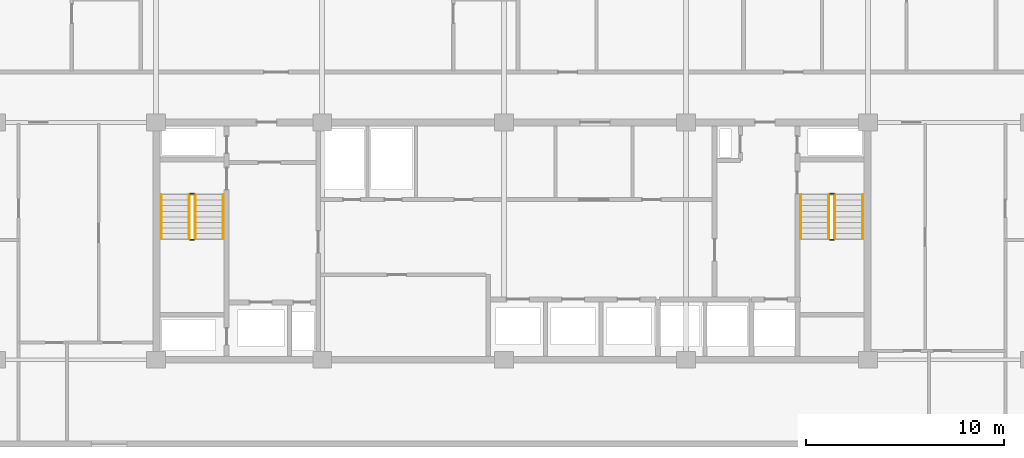
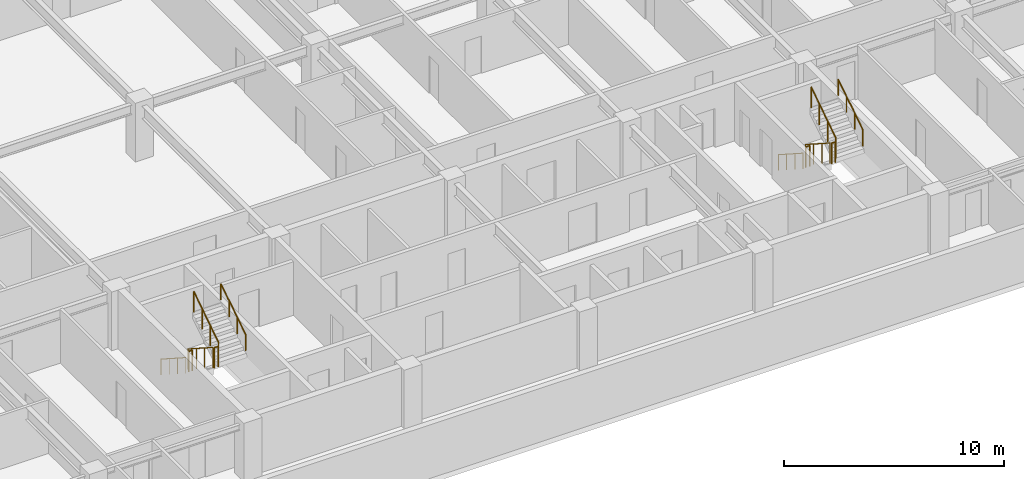
# One storey, part 20 of 21: 12 railings.
"""IFC4 building model written with IfcOpenShell, lengths in metres."""

from ifc_helpers import new_model, si_unit, direction, frame, origin, origin_2d, place, context, subcontext, project, spatial, circle, extrude, material, type_object, element, save


model = new_model("IFC4")

# Units and contexts
model_context = context("Model", 3, precision=1e-05, world=origin(), true_north=direction((0.0, 1.0)))
body_context = subcontext(model_context, "Body", "Model", "MODEL_VIEW")
ifc_project = project(units=[si_unit("LENGTHUNIT", "METRE"), si_unit("AREAUNIT", "SQUARE_METRE"), si_unit("VOLUMEUNIT", "CUBIC_METRE"), si_unit("PLANEANGLEUNIT", "RADIAN"), si_unit("MASSUNIT", "GRAM", prefix="KILO")], contexts=[model_context])

# Site, building, storey
site_placement = place(None, origin())
site = spatial("IfcSite", under=ifc_project, at=site_placement, CompositionType="ELEMENT")
building_placement = place(site_placement, origin())
building = spatial("IfcBuilding", under=site, at=building_placement, Name="Korimba Cascade Residences", CompositionType="ELEMENT")
storey_placement = place(building_placement, frame((0.0, 0.0, 106.800048828125)))
storey = spatial("IfcBuildingStorey", under=building, at=storey_placement, Name="L30", CompositionType="ELEMENT", Elevation=106.800048828125)

# Railings
ifc_material_1 = material(Name="Painted Steel Stairwell Guardrail", Category="steel")
railing_type_1 = type_object("IfcRailingType", Name="RLG-ST-GD1150", PredefinedType="GUARDRAIL", material=ifc_material_1)
railing_1_placement = place(storey_placement, frame((77.77001953125, 63.550048828125, 0.180419921875)))
element("IfcRailing", 1, at=railing_1_placement, inside=storey, type_object=railing_type_1, Name="L30 ST-W1 stair guard 1", PredefinedType="GUARDRAIL", context=body_context, shape_type="SweptSolid", body=[
    extrude(circle(Radius=0.02392578125, at=origin_2d()), frame((0.0, 0.0, 1.1259765625), z_axis=(0.0, -0.840394893359, 0.541974559565), x_axis=(1.0, 0.0, 0.0)), (0.0, 0.0, 1.0), 2.665283203125),
    extrude(circle(Radius=0.02099609375, at=origin_2d()), origin(), (0.0, 0.0, 1.0), 1.101806640625),
    extrude(circle(Radius=0.02099609375, at=origin_2d()), frame((0.0, -0.74658203125, 0.4814453125)), (0.0, 0.0, 1.0), 1.101806640625),
    extrude(circle(Radius=0.02099609375, at=origin_2d()), frame((0.0, -1.493408203125, 0.963134765625)), (0.0, 0.0, 1.0), 1.101806640625),
    extrude(circle(Radius=0.02099609375, at=origin_2d()), frame((0.0, -2.239990234375, 1.444580078125)), (0.0, 0.0, 1.0), 1.101806640625),
])
railing_2_placement = place(storey_placement, frame((77.820068359375, 61.260009765625, 1.625)))
element("IfcRailing", 2, at=railing_2_placement, inside=storey, type_object=railing_type_1, Name="L30 ST-W1 stair guard 2", PredefinedType="GUARDRAIL", context=body_context, shape_type="SweptSolid", body=[
    extrude(circle(Radius=0.02392578125, at=origin_2d()), frame((0.0, 0.0, 1.1259765625), z_axis=(1.0, 0.0, 0.0), x_axis=(0.0, 1.0, 0.0)), (0.0, 0.0, 1.0), 0.199951171875),
    extrude(circle(Radius=0.02099609375, at=origin_2d()), origin(), (0.0, 0.0, 1.0), 1.101806640625),
    extrude(circle(Radius=0.02099609375, at=origin_2d()), frame((0.199951171875, 0.0, 0.0)), (0.0, 0.0, 1.0), 1.101806640625),
])
railing_3_placement = place(storey_placement, frame((78.070068359375, 61.31005859375, 1.805419921875)))
element("IfcRailing", 3, at=railing_3_placement, inside=storey, type_object=railing_type_1, Name="L30 ST-W1 stair guard 3", PredefinedType="GUARDRAIL", context=body_context, shape_type="SweptSolid", body=[
    extrude(circle(Radius=0.02392578125, at=origin_2d()), frame((0.0, 0.0, 1.1259765625), z_axis=(0.0, 0.840394893359, 0.541974559565), x_axis=(-1.0, 0.0, 0.0)), (0.0, 0.0, 1.0), 2.665283203125),
    extrude(circle(Radius=0.02099609375, at=origin_2d()), origin(), (0.0, 0.0, 1.0), 1.101806640625),
    extrude(circle(Radius=0.02099609375, at=origin_2d()), frame((0.0, 0.74658203125, 0.4814453125)), (0.0, 0.0, 1.0), 1.101806640625),
    extrude(circle(Radius=0.02099609375, at=origin_2d()), frame((0.0, 1.493408203125, 0.963134765625)), (0.0, 0.0, 1.0), 1.101806640625),
    extrude(circle(Radius=0.02099609375, at=origin_2d()), frame((0.0, 2.239990234375, 1.444580078125)), (0.0, 0.0, 1.0), 1.101806640625),
])
railing_4_placement = place(storey_placement, frame((77.820068359375, 63.60009765625, 0.0)))
element("IfcRailing", 4, at=railing_4_placement, inside=storey, type_object=railing_type_1, Name="L30 ST-W1 stair guard 4", PredefinedType="GUARDRAIL", context=body_context, shape_type="SweptSolid", body=[
    extrude(circle(Radius=0.02392578125, at=origin_2d()), frame((0.0, 0.0, 1.1259765625), z_axis=(1.0, 0.0, 0.0), x_axis=(0.0, 1.0, 0.0)), (0.0, 0.0, 1.0), 0.199951171875),
    extrude(circle(Radius=0.02099609375, at=origin_2d()), origin(), (0.0, 0.0, 1.0), 1.101806640625),
    extrude(circle(Radius=0.02099609375, at=origin_2d()), frame((0.199951171875, 0.0, 0.0)), (0.0, 0.0, 1.0), 1.101806640625),
])
railing_5_placement = place(storey_placement, frame((110.1298828125, 63.550048828125, 0.180419921875)))
element("IfcRailing", 5, at=railing_5_placement, inside=storey, type_object=railing_type_1, Name="L30 ST-W2 stair guard 1", PredefinedType="GUARDRAIL", context=body_context, shape_type="SweptSolid", body=[
    extrude(circle(Radius=0.02392578125, at=origin_2d()), frame((0.0, 0.0, 1.1259765625), z_axis=(0.0, -0.840394893359, 0.541974559565), x_axis=(1.0, 0.0, 0.0)), (0.0, 0.0, 1.0), 2.665283203125),
    extrude(circle(Radius=0.02099609375, at=origin_2d()), origin(), (0.0, 0.0, 1.0), 1.101806640625),
    extrude(circle(Radius=0.02099609375, at=origin_2d()), frame((0.0, -0.74658203125, 0.4814453125)), (0.0, 0.0, 1.0), 1.101806640625),
    extrude(circle(Radius=0.02099609375, at=origin_2d()), frame((0.0, -1.493408203125, 0.963134765625)), (0.0, 0.0, 1.0), 1.101806640625),
    extrude(circle(Radius=0.02099609375, at=origin_2d()), frame((0.0, -2.239990234375, 1.444580078125)), (0.0, 0.0, 1.0), 1.101806640625),
])
railing_6_placement = place(storey_placement, frame((110.179931640625, 61.260009765625, 1.625)))
element("IfcRailing", 6, at=railing_6_placement, inside=storey, type_object=railing_type_1, Name="L30 ST-W2 stair guard 2", PredefinedType="GUARDRAIL", context=body_context, shape_type="SweptSolid", body=[
    extrude(circle(Radius=0.02392578125, at=origin_2d()), frame((0.0, 0.0, 1.1259765625), z_axis=(1.0, 0.0, 0.0), x_axis=(0.0, 1.0, 0.0)), (0.0, 0.0, 1.0), 0.199951171875),
    extrude(circle(Radius=0.02099609375, at=origin_2d()), origin(), (0.0, 0.0, 1.0), 1.101806640625),
    extrude(circle(Radius=0.02099609375, at=origin_2d()), frame((0.199951171875, 0.0, 0.0)), (0.0, 0.0, 1.0), 1.101806640625),
])
railing_7_placement = place(storey_placement, frame((110.429931640625, 61.31005859375, 1.805419921875)))
element("IfcRailing", 7, at=railing_7_placement, inside=storey, type_object=railing_type_1, Name="L30 ST-W2 stair guard 3", PredefinedType="GUARDRAIL", context=body_context, shape_type="SweptSolid", body=[
    extrude(circle(Radius=0.02392578125, at=origin_2d()), frame((0.0, 0.0, 1.1259765625), z_axis=(0.0, 0.840394893359, 0.541974559565), x_axis=(-1.0, 0.0, 0.0)), (0.0, 0.0, 1.0), 2.665283203125),
    extrude(circle(Radius=0.02099609375, at=origin_2d()), origin(), (0.0, 0.0, 1.0), 1.101806640625),
    extrude(circle(Radius=0.02099609375, at=origin_2d()), frame((0.0, 0.74658203125, 0.4814453125)), (0.0, 0.0, 1.0), 1.101806640625),
    extrude(circle(Radius=0.02099609375, at=origin_2d()), frame((0.0, 1.493408203125, 0.963134765625)), (0.0, 0.0, 1.0), 1.101806640625),
    extrude(circle(Radius=0.02099609375, at=origin_2d()), frame((0.0, 2.239990234375, 1.444580078125)), (0.0, 0.0, 1.0), 1.101806640625),
])
railing_8_placement = place(storey_placement, frame((110.179931640625, 63.60009765625, 0.0)))
element("IfcRailing", 8, at=railing_8_placement, inside=storey, type_object=railing_type_1, Name="L30 ST-W2 stair guard 4", PredefinedType="GUARDRAIL", context=body_context, shape_type="SweptSolid", body=[
    extrude(circle(Radius=0.02392578125, at=origin_2d()), frame((0.0, 0.0, 1.1259765625), z_axis=(1.0, 0.0, 0.0), x_axis=(0.0, 1.0, 0.0)), (0.0, 0.0, 1.0), 0.199951171875),
    extrude(circle(Radius=0.02099609375, at=origin_2d()), origin(), (0.0, 0.0, 1.0), 1.101806640625),
    extrude(circle(Radius=0.02099609375, at=origin_2d()), frame((0.199951171875, 0.0, 0.0)), (0.0, 0.0, 1.0), 1.101806640625),
])
ifc_material_2 = material(Name="Brushed Stainless Steel Handrail", Category="steel")
railing_type_2 = type_object("IfcRailingType", Name="RLG-ST-HR900", PredefinedType="HANDRAIL", material=ifc_material_2)
railing_9_placement = place(storey_placement, frame((76.35009765625, 63.550048828125, 0.364990234375)))
element("IfcRailing", 9, at=railing_9_placement, inside=storey, type_object=railing_type_2, Name="L30 ST-W1 stair handrail 1", PredefinedType="HANDRAIL", context=body_context, shape_type="SweptSolid", body=[
    extrude(circle(Radius=0.02392578125, at=origin_2d()), frame((0.0, 0.0, 0.8759765625), z_axis=(0.0, -0.840436612492, 0.541909863706), x_axis=(1.0, 0.0, 0.0)), (0.0, 0.0, 1.0), 2.665283203125),
    extrude(circle(Radius=0.02099609375, at=origin_2d()), origin(), (0.0, 0.0, 1.0), 0.851806640625),
    extrude(circle(Radius=0.02099609375, at=origin_2d()), frame((0.0, -0.74658203125, 0.4814453125)), (0.0, 0.0, 1.0), 0.851806640625),
    extrude(circle(Radius=0.02099609375, at=origin_2d()), frame((0.0, -1.493408203125, 0.962890625)), (0.0, 0.0, 1.0), 0.851806640625),
    extrude(circle(Radius=0.02099609375, at=origin_2d()), frame((0.0, -2.239990234375, 1.4443359375)), (0.0, 0.0, 1.0), 0.851806640625),
])
railing_10_placement = place(storey_placement, frame((79.489990234375, 61.31005859375, 1.989990234375)))
element("IfcRailing", 10, at=railing_10_placement, inside=storey, type_object=railing_type_2, Name="L30 ST-W1 stair handrail 2", PredefinedType="HANDRAIL", context=body_context, shape_type="SweptSolid", body=[
    extrude(circle(Radius=0.02392578125, at=origin_2d()), frame((0.0, 0.0, 0.8759765625), z_axis=(0.0, 0.840436612492, 0.541909863706), x_axis=(-1.0, 0.0, 0.0)), (0.0, 0.0, 1.0), 2.665283203125),
    extrude(circle(Radius=0.02099609375, at=origin_2d()), origin(), (0.0, 0.0, 1.0), 0.851806640625),
    extrude(circle(Radius=0.02099609375, at=origin_2d()), frame((0.0, 0.74658203125, 0.4814453125)), (0.0, 0.0, 1.0), 0.851806640625),
    extrude(circle(Radius=0.02099609375, at=origin_2d()), frame((0.0, 1.493408203125, 0.962890625)), (0.0, 0.0, 1.0), 0.851806640625),
    extrude(circle(Radius=0.02099609375, at=origin_2d()), frame((0.0, 2.239990234375, 1.4443359375)), (0.0, 0.0, 1.0), 0.851806640625),
])
railing_11_placement = place(storey_placement, frame((108.7099609375, 63.550048828125, 0.364990234375)))
element("IfcRailing", 11, at=railing_11_placement, inside=storey, type_object=railing_type_2, Name="L30 ST-W2 stair handrail 1", PredefinedType="HANDRAIL", context=body_context, shape_type="SweptSolid", body=[
    extrude(circle(Radius=0.02392578125, at=origin_2d()), frame((0.0, 0.0, 0.8759765625), z_axis=(0.0, -0.840436612492, 0.541909863706), x_axis=(1.0, 0.0, 0.0)), (0.0, 0.0, 1.0), 2.665283203125),
    extrude(circle(Radius=0.02099609375, at=origin_2d()), origin(), (0.0, 0.0, 1.0), 0.851806640625),
    extrude(circle(Radius=0.02099609375, at=origin_2d()), frame((0.0, -0.74658203125, 0.4814453125)), (0.0, 0.0, 1.0), 0.851806640625),
    extrude(circle(Radius=0.02099609375, at=origin_2d()), frame((0.0, -1.493408203125, 0.962890625)), (0.0, 0.0, 1.0), 0.851806640625),
    extrude(circle(Radius=0.02099609375, at=origin_2d()), frame((0.0, -2.239990234375, 1.4443359375)), (0.0, 0.0, 1.0), 0.851806640625),
])
railing_12_placement = place(storey_placement, frame((111.85009765625, 61.31005859375, 1.989990234375)))
element("IfcRailing", 12, at=railing_12_placement, inside=storey, type_object=railing_type_2, Name="L30 ST-W2 stair handrail 2", PredefinedType="HANDRAIL", context=body_context, shape_type="SweptSolid", body=[
    extrude(circle(Radius=0.02392578125, at=origin_2d()), frame((0.0, 0.0, 0.8759765625), z_axis=(0.0, 0.840436612492, 0.541909863706), x_axis=(-1.0, 0.0, 0.0)), (0.0, 0.0, 1.0), 2.665283203125),
    extrude(circle(Radius=0.02099609375, at=origin_2d()), origin(), (0.0, 0.0, 1.0), 0.851806640625),
    extrude(circle(Radius=0.02099609375, at=origin_2d()), frame((0.0, 0.74658203125, 0.4814453125)), (0.0, 0.0, 1.0), 0.851806640625),
    extrude(circle(Radius=0.02099609375, at=origin_2d()), frame((0.0, 1.493408203125, 0.962890625)), (0.0, 0.0, 1.0), 0.851806640625),
    extrude(circle(Radius=0.02099609375, at=origin_2d()), frame((0.0, 2.239990234375, 1.4443359375)), (0.0, 0.0, 1.0), 0.851806640625),
])

save(model, "model.ifc")
